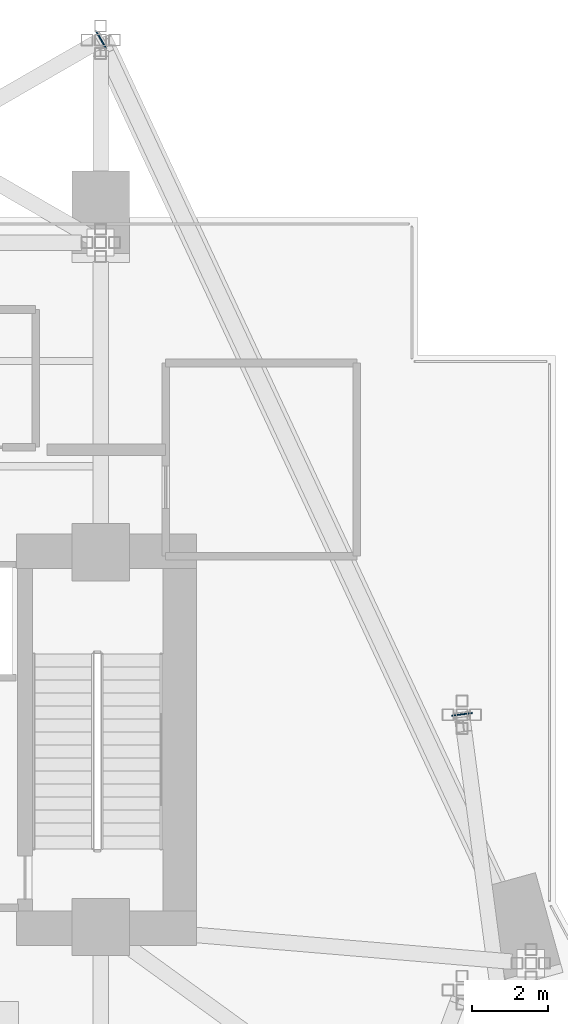
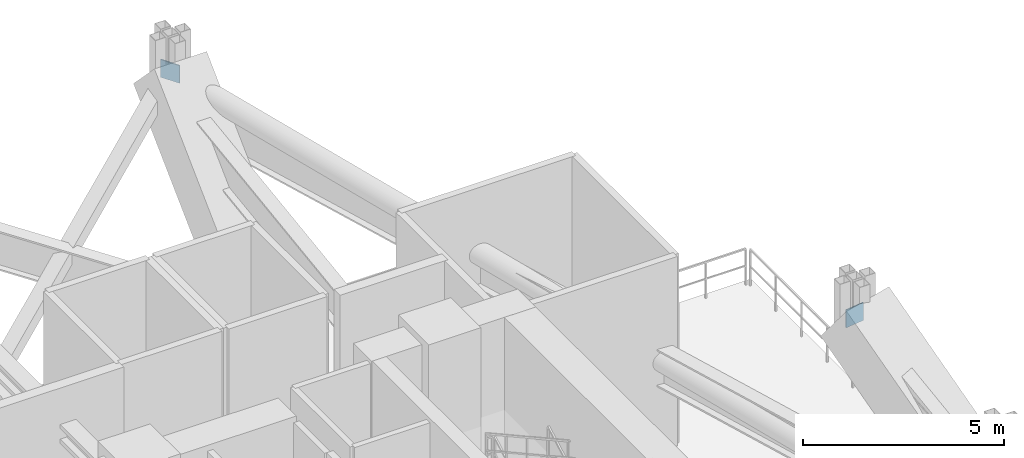
# One storey, part 12 of 21: 2 plates.
"""IFC4 building model written with IfcOpenShell, lengths in metres."""

from ifc_helpers import new_model, si_unit, direction, frame, origin, origin_2d, place, context, subcontext, project, spatial, rectangle, extrude, material, layer, layer_set, type_object, element, save


model = new_model("IFC4")

# Units and contexts
model_context = context("Model", 3, precision=1e-05, world=origin(), true_north=direction((0.0, 1.0)))
body_context = subcontext(model_context, "Body", "Model", "MODEL_VIEW")
ifc_project = project(units=[si_unit("LENGTHUNIT", "METRE"), si_unit("AREAUNIT", "SQUARE_METRE"), si_unit("VOLUMEUNIT", "CUBIC_METRE"), si_unit("PLANEANGLEUNIT", "RADIAN"), si_unit("MASSUNIT", "GRAM", prefix="KILO")], contexts=[model_context])

# Site, building, storey
site_placement = place(None, origin())
site = spatial("IfcSite", under=ifc_project, at=site_placement, CompositionType="ELEMENT")
building_placement = place(site_placement, origin())
building = spatial("IfcBuilding", under=site, at=building_placement, Name="Zuhayl Quay Hotel", CompositionType="ELEMENT")
storey_placement = place(building_placement, frame((0.0, 0.0, 89.64990234375)))
storey = spatial("IfcBuildingStorey", under=building, at=storey_placement, Name="L22", CompositionType="ELEMENT", Elevation=89.64990234375)

# Plates
ifc_material = material(Name="Steel ASTM A572 Grade 50", Category="steel")
ifc_layer = layer(ifc_material, 0.030029296875, Name="Steel ASTM A572 Grade 50", Category="steel")
ifc_layer_set = layer_set([ifc_layer], Name="Steel ASTM A572 Grade 50")
plate_type = type_object("IfcPlateType", Name="TP_CAP_PLATE_30", PredefinedType="USERDEFINED", material=ifc_layer_set)
for number, where, z_axis, x_axis, name in (
    (1, (13.809326171875, 27.75537109375, 5.18505859375), (0.0, 0.0, 1.0), (0.866461406284, 0.499244059975, 0.0), "Truss Node Cap Assembly KN2"),
    (2, (23.24853515625, 10.111083984375, 5.18408203125), (0.0, 0.0, 1.0), (-0.130353150461, 0.991467627391, 0.0), "Truss Node Cap Assembly KN2"),
):
    element("IfcPlate", number, at=place(storey_placement, frame(where, z_axis=z_axis, x_axis=x_axis)), inside=storey, type_object=plate_type, Name=name, ObjectType="GUSSET PLATE", PredefinedType="USERDEFINED", context=body_context, shape_type="SweptSolid", body=[
        extrude(rectangle(XDim=0.030029296875, YDim=0.5400390625, at=origin_2d()), origin(), (0.0, 0.0, 1.0), 0.5400390625),
    ])

save(model, "model.ifc")
